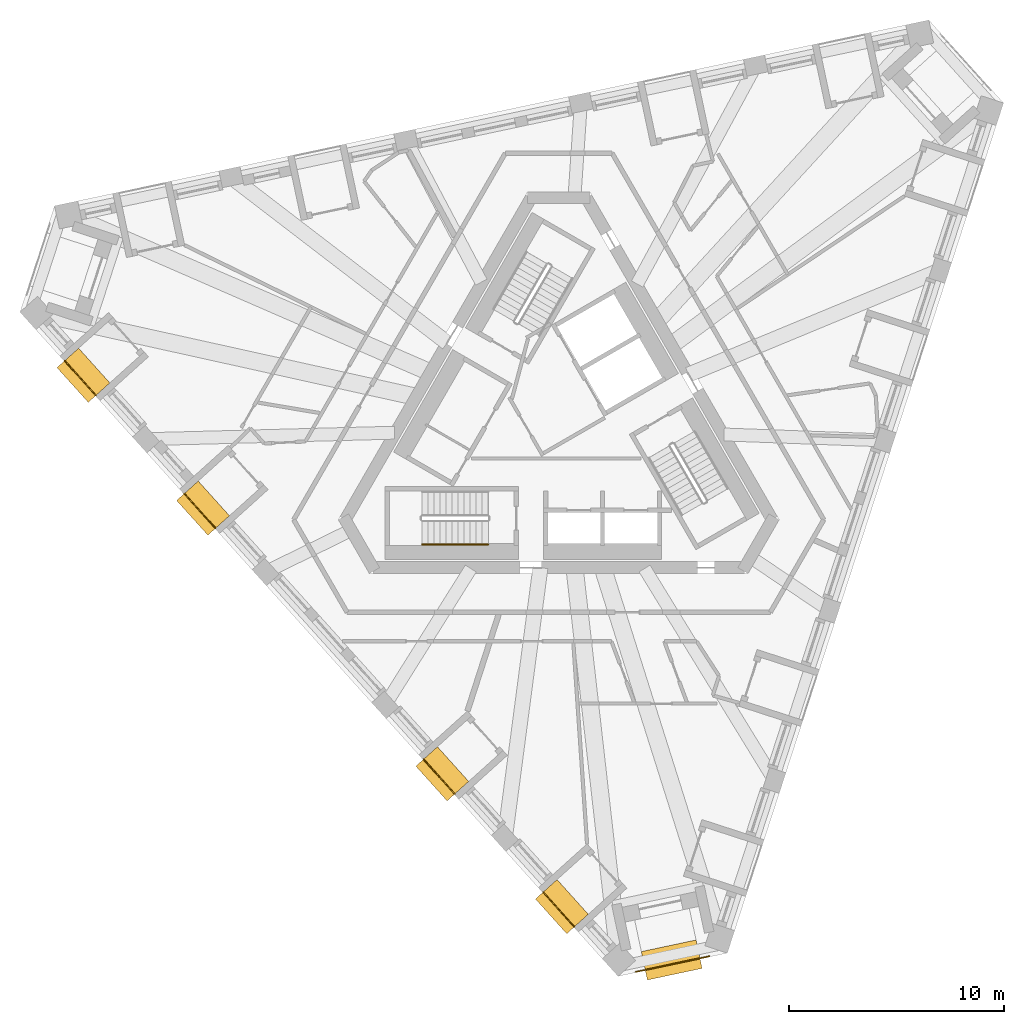
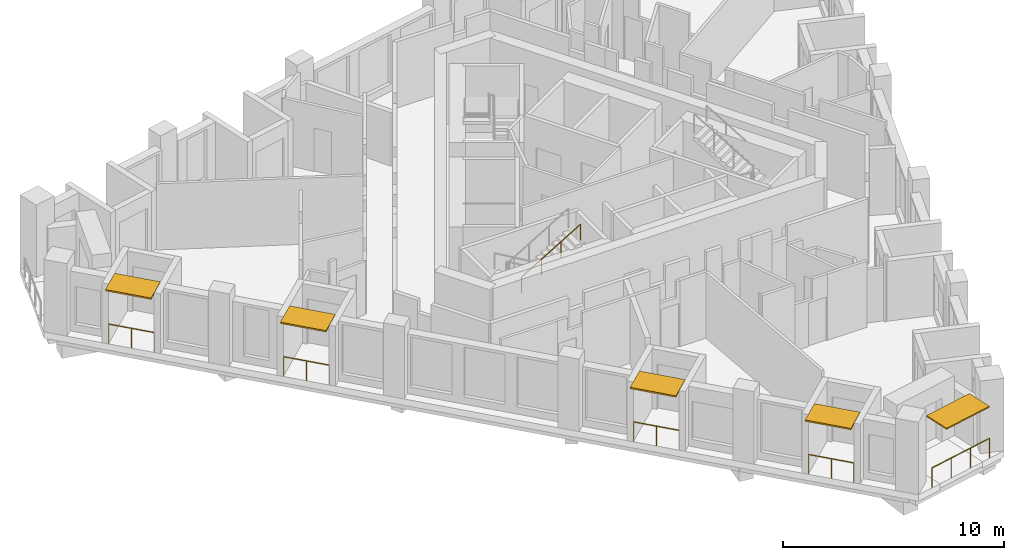
# One storey, part 9 of 12: 6 railings, 5 shading devices.
"""IFC4 building model written with IfcOpenShell, lengths in metres."""

from ifc_helpers import new_model, si_unit, direction, frame, origin, origin_2d, place, context, subcontext, project, spatial, rectangle, circle, extrude, material, layer, layer_set, type_object, element, save


model = new_model("IFC4")

# Units and contexts
model_context = context("Model", 3, precision=1e-05, world=origin(), true_north=direction((0.0, 1.0)))
body_context = subcontext(model_context, "Body", "Model", "MODEL_VIEW")
ifc_project = project(units=[si_unit("LENGTHUNIT", "METRE"), si_unit("AREAUNIT", "SQUARE_METRE"), si_unit("VOLUMEUNIT", "CUBIC_METRE"), si_unit("PLANEANGLEUNIT", "RADIAN"), si_unit("MASSUNIT", "GRAM", prefix="KILO")], contexts=[model_context])

# Site, building, storey
site_placement = place(None, origin())
site = spatial("IfcSite", under=ifc_project, at=site_placement, CompositionType="ELEMENT")
building_placement = place(site_placement, origin())
building = spatial("IfcBuilding", under=site, at=building_placement, Name="Tramontana Tower", CompositionType="ELEMENT")
storey_placement = place(building_placement, frame((0.0, 0.0, 340.39990234375)))
storey = spatial("IfcBuildingStorey", under=building, at=storey_placement, Name="L78", CompositionType="ELEMENT", Elevation=340.39990234375)

# Railings
ifc_material_1 = material(Name="Laminated glass balustrade", Category="glass")
railing_type_1 = type_object("IfcRailingType", Name="GD1 Loggia glass balustrade 1100", PredefinedType="BALUSTRADE", material=ifc_material_1)
railing_1_placement = place(storey_placement, frame((-22.977294921875, 3.146728515625, 0.0)))
element("IfcRailing", 1, at=railing_1_placement, inside=storey, type_object=railing_type_1, Name="Loggia balustrade L78 G8S0.1", PredefinedType="BALUSTRADE", context=body_context, shape_type="SweptSolid", body=[
    extrude(circle(Radius=0.02392578125, at=origin_2d()), frame((0.0, 0.0, 1.076171875), z_axis=(0.669082765552, -0.743187898745, 0.0), x_axis=(0.743187898745, 0.669082765552, 0.0)), (0.0, 0.0, 1.0), 2.171142578125),
    extrude(circle(Radius=0.02099609375, at=origin_2d()), origin(), (0.0, 0.0, 1.0), 1.052001953125),
    extrude(circle(Radius=0.02099609375, at=origin_2d()), frame((0.726318359375, -0.806640625, 0.0)), (0.0, 0.0, 1.0), 1.052001953125),
    extrude(circle(Radius=0.02099609375, at=origin_2d()), frame((1.45263671875, -1.613525390625, 0.0)), (0.0, 0.0, 1.0), 1.052001953125),
])
for number, where, name in (
    (2, (-17.414306640625, -3.03173828125, 0.0), "Loggia balustrade L78 G8S0.4"),
    (3, (-6.288330078125, -15.388427734375, 0.0), "Loggia balustrade L78 G8S0.10"),
):
    element("IfcRailing", number, at=place(storey_placement, frame(where)), inside=storey, type_object=railing_type_1, Name=name, PredefinedType="BALUSTRADE", context=body_context, shape_type="SweptSolid", body=[
        extrude(circle(Radius=0.02392578125, at=origin_2d()), frame((0.0, 0.0, 1.076171875), z_axis=(0.669144868344, -0.743131983681, 0.0), x_axis=(0.743131983681, 0.669144868344, 0.0)), (0.0, 0.0, 1.0), 2.171142578125),
        extrude(circle(Radius=0.02099609375, at=origin_2d()), origin(), (0.0, 0.0, 1.0), 1.052001953125),
        extrude(circle(Radius=0.02099609375, at=origin_2d()), frame((0.7265625, -0.806640625, 0.0)), (0.0, 0.0, 1.0), 1.052001953125),
        extrude(circle(Radius=0.02099609375, at=origin_2d()), frame((1.452880859375, -1.613525390625, 0.0)), (0.0, 0.0, 1.0), 1.052001953125),
    ])
railing_2_placement = place(storey_placement, frame((-0.72509765625, -21.56689453125, 0.0)))
element("IfcRailing", 4, at=railing_2_placement, inside=storey, type_object=railing_type_1, Name="Loggia balustrade L78 G8S0.13", PredefinedType="BALUSTRADE", context=body_context, shape_type="SweptSolid", body=[
    extrude(circle(Radius=0.02392578125, at=origin_2d()), frame((0.0, 0.0, 1.076171875), z_axis=(0.669082765552, -0.743187898745, 0.0), x_axis=(0.743187898745, 0.669082765552, 0.0)), (0.0, 0.0, 1.0), 2.171142578125),
    extrude(circle(Radius=0.02099609375, at=origin_2d()), origin(), (0.0, 0.0, 1.0), 1.052001953125),
    extrude(circle(Radius=0.02099609375, at=origin_2d()), frame((0.726318359375, -0.806640625, 0.0)), (0.0, 0.0, 1.0), 1.052001953125),
    extrude(circle(Radius=0.02099609375, at=origin_2d()), frame((1.45263671875, -1.613525390625, 0.0)), (0.0, 0.0, 1.0), 1.052001953125),
])
railing_3_placement = place(storey_placement, frame((7.00732421875, -24.549560546875, 0.0)))
element("IfcRailing", 5, at=railing_3_placement, inside=storey, type_object=railing_type_1, Name="Corner loggia balustrade L78 K81", PredefinedType="BALUSTRADE", context=body_context, shape_type="SweptSolid", body=[
    extrude(circle(Radius=0.02392578125, at=origin_2d()), frame((0.0, 0.0, 1.076171875), z_axis=(-0.978143070564, -0.20793300245, 0.0), x_axis=(0.20793300245, -0.978143070564, 0.0)), (0.0, 0.0, 1.0), 3.5),
    extrude(circle(Radius=0.02099609375, at=origin_2d()), origin(), (0.0, 0.0, 1.0), 1.052001953125),
    extrude(circle(Radius=0.02099609375, at=origin_2d()), frame((-1.14111328125, -0.24267578125, 0.0)), (0.0, 0.0, 1.0), 1.052001953125),
    extrude(circle(Radius=0.02099609375, at=origin_2d()), frame((-2.282470703125, -0.485107421875, 0.0)), (0.0, 0.0, 1.0), 1.052001953125),
    extrude(circle(Radius=0.02099609375, at=origin_2d()), frame((-3.423583984375, -0.727783203125, 0.0)), (0.0, 0.0, 1.0), 1.052001953125),
])

# Shading devices
ifc_material_2 = material(Name="Precast concrete 60 MPa", Category="concrete")
ifc_layer_1 = layer(ifc_material_2, 0.070068359375)
ifc_layer_set_1 = layer_set([ifc_layer_1], Name="SS2 Stone sunshade blade 70")
shading_device_type_1 = type_object("IfcShadingDeviceType", Name="SS2 Stone sunshade blade 70", PredefinedType="USERDEFINED", material=ifc_layer_set_1)
shading_device_placement = place(storey_placement, frame((5.2548828125, -24.72265625, 3.22998046875), z_axis=(0.0, 0.0, 1.0), x_axis=(-0.978147600734, -0.207911690818, 0.0)))
element("IfcShadingDevice", 6, at=shading_device_placement, inside=storey, type_object=shading_device_type_1, Name="Corner sunshade L78 K81", ObjectType="SUNSHADE", PredefinedType="USERDEFINED", context=body_context, shape_type="SweptSolid", body=[
    extrude(rectangle(XDim=2.60009765625, YDim=1.35009765625, at=origin_2d()), origin(), (0.0, 0.0, 1.0), 0.070068359375),
])
ifc_material_3 = material(Name="Precast concrete 60 MPa", Category="concrete")
ifc_layer_2 = layer(ifc_material_3, 0.080078125)
ifc_layer_set_2 = layer_set([ifc_layer_2], Name="SS3 Stone sunshade blade 80")
shading_device_type_2 = type_object("IfcShadingDeviceType", Name="SS3 Stone sunshade blade 80", PredefinedType="USERDEFINED", material=ifc_layer_set_2)
for number, where, z_axis, x_axis, name in (
    (7, (-22.10595703125, 2.470458984375, 3.219970703125), (0.0, 0.0, 1.0), (0.669130606359, -0.743144825477, 0.0), "Sunshade L78 G8S0.1"),
    (8, (-16.54296875, -3.7080078125, 3.219970703125), (0.0, 0.0, 1.0), (0.669130606359, -0.743144825477, 0.0), "Sunshade L78 G8S0.4"),
    (9, (-5.4169921875, -16.064697265625, 3.219970703125), (0.0, 0.0, 1.0), (0.669130606359, -0.743144825477, 0.0), "Sunshade L78 G8S0.10"),
    (10, (0.146240234375, -22.2431640625, 3.219970703125), (0.0, 0.0, 1.0), (0.669130606359, -0.743144825477, 0.0), "Sunshade L78 G8S0.13"),
):
    element("IfcShadingDevice", number, at=place(storey_placement, frame(where, z_axis=z_axis, x_axis=x_axis)), inside=storey, type_object=shading_device_type_2, Name=name, ObjectType="SUNSHADE", PredefinedType="USERDEFINED", context=body_context, shape_type="SweptSolid", body=[
        extrude(rectangle(XDim=2.17138671875, YDim=1.35009765625, at=origin_2d()), origin(), (0.0, 0.0, 1.0), 0.080078125),
    ])

# Railing
ifc_material_4 = material(Name="Painted steel", Category="steel")
railing_type_2 = type_object("IfcRailingType", Name="STAIR HANDRAIL 900", PredefinedType="HANDRAIL", material=ifc_material_4)
railing_4_placement = place(storey_placement, frame((-6.360107421875, -5.39990234375, 2.166748046875)))
element("IfcRailing", 11, at=railing_4_placement, inside=storey, type_object=railing_type_2, Name="L78 ST2 stair handrail 2", PredefinedType="HANDRAIL", context=body_context, shape_type="SweptSolid", body=[
    extrude(circle(Radius=0.02392578125, at=origin_2d()), frame((0.0, 0.0, 0.8759765625), z_axis=(0.859308565015, 0.0, 0.511457515432), x_axis=(0.0, 1.0, 0.0)), (0.0, 0.0, 1.0), 3.58447265625),
    extrude(circle(Radius=0.02099609375, at=origin_2d()), origin(), (0.0, 0.0, 1.0), 0.851806640625),
    extrude(circle(Radius=0.02099609375, at=origin_2d()), frame((1.026611328125, 0.0, 0.611083984375)), (0.0, 0.0, 1.0), 0.851806640625),
    extrude(circle(Radius=0.02099609375, at=origin_2d()), frame((2.053466796875, 0.0, 1.22216796875)), (0.0, 0.0, 1.0), 0.851806640625),
    extrude(circle(Radius=0.02099609375, at=origin_2d()), frame((3.080078125, 0.0, 1.833251953125)), (0.0, 0.0, 1.0), 0.851806640625),
])

save(model, "model.ifc")
